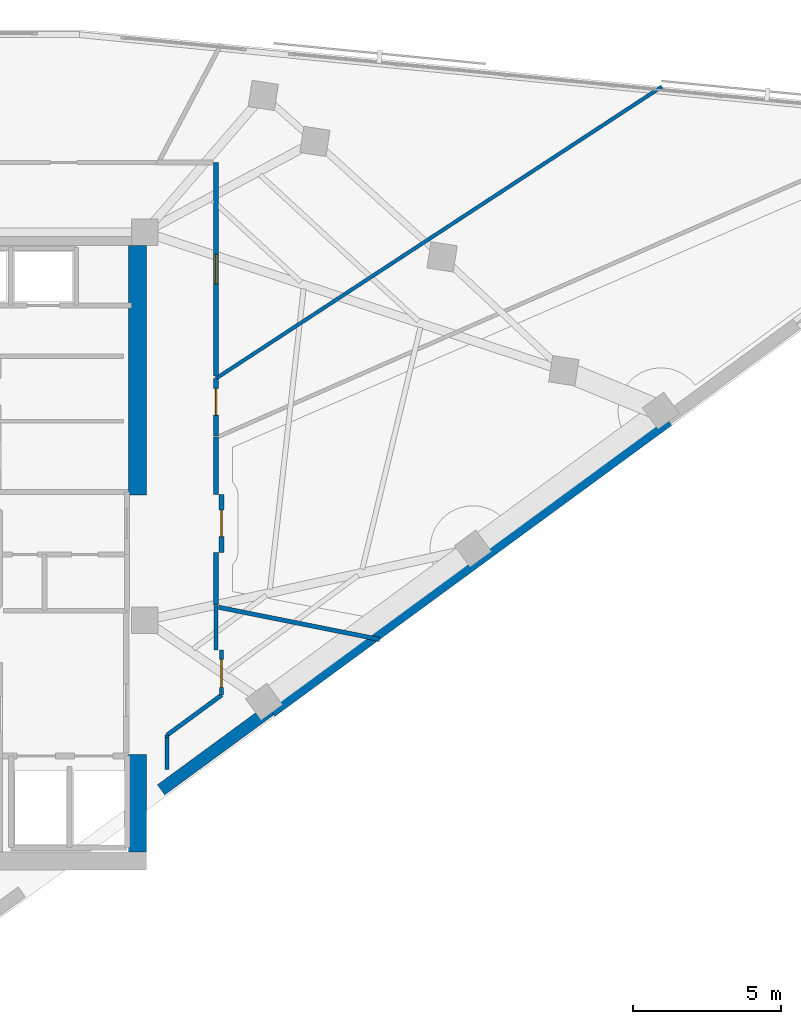
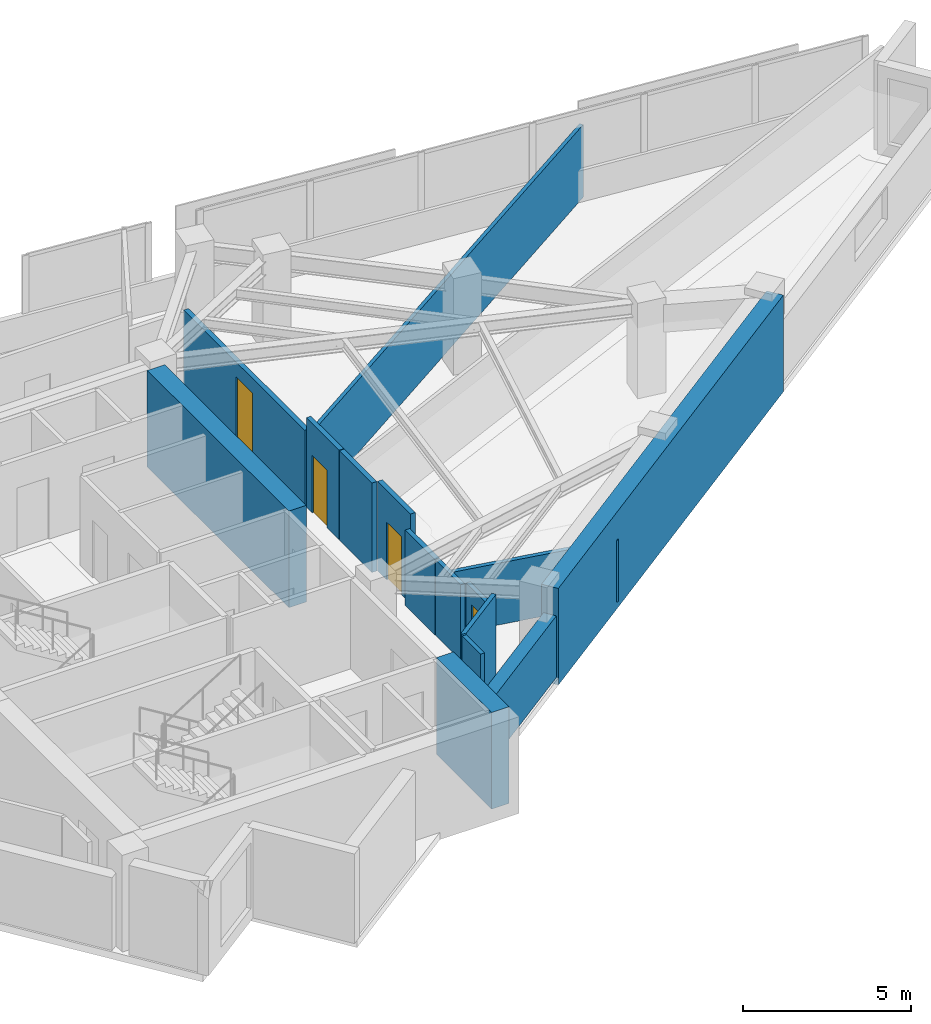
# One storey, part 11 of 14: 16 walls, 4 doors, 4 openings.
"""IFC4 building model written with IfcOpenShell, lengths in metres."""

from ifc_helpers import new_model, si_unit, direction, frame, frame_2d, origin, place, context, subcontext, project, spatial, rectangle, extrude, material, layer, layer_set, type_object, element, fill, save


model = new_model("IFC4")

# Units and contexts
model_context = context("Model", 3, precision=1e-05, world=origin(), true_north=direction((0.0, 1.0)))
body_context = subcontext(model_context, "Body", "Model", "MODEL_VIEW")
ifc_project = project(units=[si_unit("LENGTHUNIT", "METRE"), si_unit("AREAUNIT", "SQUARE_METRE"), si_unit("VOLUMEUNIT", "CUBIC_METRE"), si_unit("PLANEANGLEUNIT", "RADIAN"), si_unit("MASSUNIT", "GRAM", prefix="KILO")], contexts=[model_context])

# Site, building, storey
site_placement = place(None, origin())
site = spatial("IfcSite", under=ifc_project, at=site_placement, CompositionType="ELEMENT")
building_placement = place(site_placement, origin())
building = spatial("IfcBuilding", under=site, at=building_placement, Name="Narakoshi Arena Tower", CompositionType="ELEMENT")
storey_placement = place(building_placement, frame((0.0, 0.0, 236.10009765625)))
storey = spatial("IfcBuildingStorey", under=building, at=storey_placement, Name="L64", CompositionType="ELEMENT", Elevation=236.10009765625)

# Walls
ifc_material_1 = material(Name="Concrete C50/60", Category="concrete")
ifc_layer_1 = layer(ifc_material_1, 0.60009765625)
ifc_layer_set_1 = layer_set([ifc_layer_1], Name="Concrete C50/60")
wall_type_1 = type_object("IfcWallType", Name="WL-CORE-600", PredefinedType="SHEAR", material=ifc_layer_set_1)
wall_1_placement = place(storey_placement, frame((85.300048828125, 35.5, -0.260009765625), z_axis=(0.0, 0.0, 1.0), x_axis=(0.0, 1.0, 0.0)))
element("IfcWall", 1, at=wall_1_placement, inside=storey, type_object=wall_type_1, Name="L64 Central Core Shear Wall CW-APX-E", PredefinedType="SHEAR", context=body_context, shape_type="SweptSolid", body=[
    extrude(rectangle(XDim=3.300048828125, YDim=0.60009765625, at=frame_2d((1.64990234375, 0.0))), origin(), (0.0, 0.0, 1.0), 3.52001953125),
])
wall_2_placement = place(storey_placement, frame((85.300048828125, 47.60009765625, -0.260009765625), z_axis=(0.0, 0.0, 1.0), x_axis=(0.0, 1.0, 0.0)))
element("IfcWall", 2, at=wall_2_placement, inside=storey, type_object=wall_type_1, Name="L64 Main Core Shear Wall CW-MN-E", PredefinedType="SHEAR", context=body_context, shape_type="SweptSolid", body=[
    extrude(rectangle(XDim=8.449951171875, YDim=0.60009765625, at=frame_2d((4.22509765625, 0.0))), origin(), (0.0, 0.0, 1.0), 3.52001953125),
])

# Wall, opening, door
ifc_material_2 = material(Name="Gypsum plasterboard fire-rated partition")
ifc_layer_2 = layer(ifc_material_2, 0.1650390625)
ifc_layer_set_2 = layer_set([ifc_layer_2], Name="Gypsum plasterboard fire-rated partition")
wall_type_2 = type_object("IfcWallType", Name="WL-CORR-165", PredefinedType="PARTITIONING", material=ifc_layer_set_2)
wall_3_placement = place(storey_placement, frame((88.14990234375, 45.64990234375, 0.0), z_axis=(0.0, 0.0, 1.0), x_axis=(0.0, 1.0, 0.0)))
wall_3 = element("IfcWall", 3, at=wall_3_placement, inside=storey, type_object=wall_type_2, Name="L64 Corridor Partition 03-1", PredefinedType="PARTITIONING", context=body_context, shape_type="SweptSolid", body=[
    extrude(rectangle(XDim=1.97021484375, YDim=0.1650390625, at=frame_2d((0.985107421875, 0.0))), origin(), (0.0, 0.0, 1.0), 3.260009765625),
])
opening_1_placement = place(wall_3_placement, frame((0.534912109375, 0.0, 0.0)))
opening_1 = element("IfcOpeningElement", 4, at=opening_1_placement, cuts=wall_3, Name="Opening D-08", PredefinedType="OPENING", context=body_context, shape_type="SweptSolid", body=[
    extrude(rectangle(XDim=0.89990234375, YDim=2.10009765625, at=frame_2d((0.449951171875, 1.050048828125))), frame((0.0, 0.092529296875, 0.0), z_axis=(0.0, -1.0, 0.0), x_axis=(1.0, 0.0, 0.0)), (0.0, 0.0, 1.0), 0.18505859375),
])
ifc_material_3 = material(Name="Moisture-resistant laminate timber", Category="wood")
door_type_1 = type_object("IfcDoorType", Name="DR-WC-900", OperationType="NOTDEFINED", PredefinedType="DOOR", material=ifc_material_3)
door_1_placement = place(opening_1_placement, frame((0.89990234375, 0.0, 0.0), z_axis=(0.0, 0.0, 1.0), x_axis=(-1.0, 0.0, 0.0)))
door_1 = element("IfcDoor", 5, at=door_1_placement, inside=storey, type_object=door_type_1, Name="DR-L64-019", OperationType="SINGLE_SWING_RIGHT", OverallHeight=2.10009765625, OverallWidth=0.89990234375, PredefinedType="DOOR", context=body_context, shape_type="SweptSolid", body=[
    extrude(rectangle(XDim=0.89990234375, YDim=2.10009765625, at=frame_2d((0.449951171875, 1.050048828125))), frame((0.0, 0.02490234375, 0.0), z_axis=(0.0, -1.0, 0.0), x_axis=(1.0, 0.0, 0.0)), (0.0, 0.0, 1.0), 0.050048828125),
])
fill(opening_1, door_1)

# Walls
wall_4_placement = place(storey_placement, frame((87.96142578125, 47.6201171875, 0.0), z_axis=(0.0, 0.0, 1.0), x_axis=(0.0, 1.0, 0.0)))
element("IfcWall", 6, at=wall_4_placement, inside=storey, type_object=wall_type_2, Name="L64 Corridor Partition 03-2", PredefinedType="PARTITIONING", context=body_context, shape_type="SweptSolid", body=[
    extrude(rectangle(XDim=1.9501953125, YDim=0.1650390625, at=frame_2d((0.97509765625, 0.0))), origin(), (0.0, 0.0, 1.0), 3.260009765625),
])
wall_5_placement = place(storey_placement, frame((87.96142578125, 43.872802734375, 0.0), z_axis=(0.0, 0.0, 1.0), x_axis=(0.0, 1.0, 0.0)))
element("IfcWall", 7, at=wall_5_placement, inside=storey, type_object=wall_type_2, Name="L64 Corridor Partition 03-3", PredefinedType="PARTITIONING", context=body_context, shape_type="SweptSolid", body=[
    extrude(rectangle(XDim=1.777099609375, YDim=0.1650390625, at=frame_2d((0.888671875, 0.0))), origin(), (0.0, 0.0, 1.0), 2.744873046875),
])

# Wall, opening, door
wall_6_placement = place(storey_placement, frame((87.96142578125, 49.59619140625, 0.0), z_axis=(0.0, 0.0, 1.0), x_axis=(0.0, 1.0, 0.0)))
wall_6 = element("IfcWall", 8, at=wall_6_placement, inside=storey, type_object=wall_type_2, Name="L64 Corridor Partition 04-1", PredefinedType="PARTITIONING", context=body_context, shape_type="SweptSolid", body=[
    extrude(rectangle(XDim=1.9501953125, YDim=0.1650390625, at=frame_2d((0.97509765625, 0.0))), origin(), (0.0, 0.0, 1.0), 3.260009765625),
])
opening_2_placement = place(wall_6_placement, frame((0.707275390625, 0.0, 0.0)))
opening_2 = element("IfcOpeningElement", 9, at=opening_2_placement, cuts=wall_6, Name="Opening D-08", PredefinedType="OPENING", context=body_context, shape_type="SweptSolid", body=[
    extrude(rectangle(XDim=0.89990234375, YDim=2.10009765625, at=frame_2d((0.449951171875, 1.050048828125))), frame((0.0, 0.092529296875, 0.0), z_axis=(0.0, -1.0, 0.0), x_axis=(1.0, 0.0, 0.0)), (0.0, 0.0, 1.0), 0.18505859375),
])
door_2_placement = place(opening_2_placement, frame((0.89990234375, 0.0, 0.0), z_axis=(0.0, 0.0, 1.0), x_axis=(-1.0, 0.0, 0.0)))
door_2 = element("IfcDoor", 10, at=door_2_placement, inside=storey, type_object=door_type_1, Name="DR-L64-020", OperationType="SINGLE_SWING_LEFT", OverallHeight=2.10009765625, OverallWidth=0.89990234375, PredefinedType="DOOR", context=body_context, shape_type="SweptSolid", body=[
    extrude(rectangle(XDim=0.89990234375, YDim=2.10009765625, at=frame_2d((0.449951171875, 1.050048828125))), frame((0.0, 0.02490234375, 0.0), z_axis=(0.0, -1.0, 0.0), x_axis=(1.0, 0.0, 0.0)), (0.0, 0.0, 1.0), 0.050048828125),
])
fill(opening_2, door_2)

wall_7_placement = place(storey_placement, frame((87.96142578125, 51.635498046875, 0.0), z_axis=(0.0, 0.0, 1.0), x_axis=(0.0, 1.0, 0.0)))
wall_7 = element("IfcWall", 11, at=wall_7_placement, inside=storey, type_object=wall_type_2, Name="L64 Corridor Partition 05-1", PredefinedType="PARTITIONING", context=body_context, shape_type="SweptSolid", body=[
    extrude(rectangle(XDim=7.225830078125, YDim=0.1650390625, at=frame_2d((3.61279296875, 0.0))), origin(), (0.0, 0.0, 1.0), 2.744873046875),
])
opening_3_placement = place(wall_7_placement, frame((3.113037109375, 0.0, 0.0)))
opening_3 = element("IfcOpeningElement", 12, at=opening_3_placement, cuts=wall_7, Name="Opening D-06", PredefinedType="OPENING", context=body_context, shape_type="SweptSolid", body=[
    extrude(rectangle(XDim=1.0, YDim=2.199951171875, at=frame_2d((0.5, 1.10009765625))), frame((0.0, 0.092529296875, 0.0), z_axis=(0.0, -1.0, 0.0), x_axis=(1.0, 0.0, 0.0)), (0.0, 0.0, 1.0), 0.18505859375),
])
ifc_material_4 = material(Name="Stained oak solid-core timber", Category="wood")
door_type_2 = type_object("IfcDoorType", Name="DR-OFF-1000", OperationType="NOTDEFINED", PredefinedType="DOOR", material=ifc_material_4)
door_3_placement = place(opening_3_placement, frame((1.0, 0.0, 0.0), z_axis=(0.0, 0.0, 1.0), x_axis=(-1.0, 0.0, 0.0)))
door_3 = element("IfcDoor", 13, at=door_3_placement, inside=storey, type_object=door_type_2, Name="DR-L64-021", OperationType="SINGLE_SWING_RIGHT", OverallHeight=2.199951171875, OverallWidth=1.0, PredefinedType="DOOR", context=body_context, shape_type="SweptSolid", body=[
    extrude(rectangle(XDim=1.0, YDim=2.199951171875, at=frame_2d((0.5, 1.10009765625))), frame((0.0, 0.02490234375, 0.0), z_axis=(0.0, -1.0, 0.0), x_axis=(1.0, 0.0, 0.0)), (0.0, 0.0, 1.0), 0.050048828125),
])
fill(opening_3, door_3)

# Walls
ifc_layer_3 = layer(ifc_material_1, 0.550048828125)
ifc_layer_set_3 = layer_set([ifc_layer_3], Name="Concrete C50/60")
wall_type_3 = type_object("IfcWallType", Name="WL-LEG-550", PredefinedType="SHEAR", material=ifc_layer_set_3)
wall_8_placement = place(storey_placement, frame((89.79052734375, 40.31640625, -0.260009765625), z_axis=(0.0, 0.0, 1.0), x_axis=(0.806449218078, 0.591303355868, 0.0)))
element("IfcWall", 14, at=wall_8_placement, inside=storey, type_object=wall_type_3, Name="L64 Architectural Concrete Structural Wall LEGA-3", PredefinedType="SHEAR", context=body_context, shape_type="SweptSolid", body=[
    extrude(rectangle(XDim=16.673095703125, YDim=0.550048828125, at=frame_2d((8.33642578125, 0.0))), origin(), (0.0, 0.0, 1.0), 3.52001953125),
])
ifc_layer_4 = layer(ifc_material_2, 0.125)
ifc_layer_set_4 = layer_set([ifc_layer_4], Name="Gypsum plasterboard fire-rated partition")
wall_type_4 = type_object("IfcWallType", Name="WL-PART-125", PredefinedType="PARTITIONING", material=ifc_layer_set_4)
wall_9_placement = place(storey_placement, frame((87.96142578125, 51.54638671875, 0.0), z_axis=(0.0, 0.0, 1.0), x_axis=(0.836706023694, 0.547652289244, 0.0)))
element("IfcWall", 15, at=wall_9_placement, inside=storey, type_object=wall_type_4, Name="L64 Inter-Room Partition 04-05", PredefinedType="PARTITIONING", context=body_context, shape_type="SweptSolid", body=[
    extrude(rectangle(XDim=18.052978515625, YDim=0.125, at=frame_2d((9.0263671875, 0.0))), origin(), (0.0, 0.0, 1.0), 2.64501953125),
])
ifc_material_5 = material(Name="Precast concrete C45/55", Category="concrete")
ifc_layer_5 = layer(ifc_material_5, 0.419921875)
ifc_layer_set_5 = layer_set([ifc_layer_5], Name="Precast concrete C45/55")
wall_type_5 = type_object("IfcWallType", Name="WL-POD-420", PredefinedType="SOLIDWALL", material=ifc_layer_set_5)
wall_10_placement = place(storey_placement, frame((86.10009765625, 37.6103515625, 0.0), z_axis=(0.0, 0.0, 1.0), x_axis=(0.806432132361, 0.591326657521, 0.0)))
element("IfcWall", 16, at=wall_10_placement, inside=storey, type_object=wall_type_5, Name="L64 Architectural Concrete Facade Wall LEGA-2", PredefinedType="SOLIDWALL", context=body_context, shape_type="SweptSolid", body=[
    extrude(rectangle(XDim=4.576171875, YDim=0.419921875, at=frame_2d((2.2880859375, 0.0))), origin(), (0.0, 0.0, 1.0), 2.244873046875),
])
ifc_material_6 = material(Name="Moisture-resistant cement-board partition")
ifc_layer_6 = layer(ifc_material_6, 0.14501953125)
ifc_layer_set_6 = layer_set([ifc_layer_6], Name="Moisture-resistant cement-board partition")
wall_type_6 = type_object("IfcWallType", Name="WL-WET-145", PredefinedType="PARTITIONING", material=ifc_layer_set_6)
wall_11_placement = place(storey_placement, frame((86.300048828125, 39.4619140625, 0.0), z_axis=(0.0, 0.0, 1.0), x_axis=(0.80642868075, 0.591331364689, 0.0)))
element("IfcWall", 17, at=wall_11_placement, inside=storey, type_object=wall_type_6, Name="L64 Corridor Partition 02-1", PredefinedType="PARTITIONING", context=body_context, shape_type="SweptSolid", body=[
    extrude(rectangle(XDim=2.2939453125, YDim=0.14501953125, at=frame_2d((1.14697265625, 0.0))), origin(), (0.0, 0.0, 1.0), 3.260009765625),
])

# Wall, opening, door
wall_12_placement = place(storey_placement, frame((88.14990234375, 40.818359375, 0.0), z_axis=(0.0, 0.0, 1.0), x_axis=(0.0, 1.0, 0.0)))
wall_12 = element("IfcWall", 18, at=wall_12_placement, inside=storey, type_object=wall_type_6, Name="L64 Corridor Partition 02-2", PredefinedType="PARTITIONING", context=body_context, shape_type="SweptSolid", body=[
    extrude(rectangle(XDim=1.53173828125, YDim=0.14501953125, at=frame_2d((0.765869140625, 0.0))), origin(), (0.0, 0.0, 1.0), 2.744873046875),
])
opening_4_placement = place(wall_12_placement, frame((0.263671875, 0.0, 0.0)))
opening_4 = element("IfcOpeningElement", 19, at=opening_4_placement, cuts=wall_12, Name="Opening D-07", PredefinedType="OPENING", context=body_context, shape_type="SweptSolid", body=[
    extrude(rectangle(XDim=0.949951171875, YDim=2.14990234375, at=frame_2d((0.47509765625, 1.074951171875))), frame((0.0, 0.08251953125, 0.0), z_axis=(0.0, -1.0, 0.0), x_axis=(1.0, 0.0, 0.0)), (0.0, 0.0, 1.0), 0.1650390625),
])
door_type_3 = type_object("IfcDoorType", Name="DR-ACC-950", OperationType="NOTDEFINED", PredefinedType="DOOR", material=ifc_material_4)
door_4_placement = place(opening_4_placement, origin())
door_4 = element("IfcDoor", 20, at=door_4_placement, inside=storey, type_object=door_type_3, Name="DR-L64-018", OperationType="SINGLE_SWING_RIGHT", OverallHeight=2.14990234375, OverallWidth=0.949951171875, PredefinedType="DOOR", context=body_context, shape_type="SweptSolid", body=[
    extrude(rectangle(XDim=0.949951171875, YDim=2.14990234375, at=frame_2d((0.47509765625, 1.074951171875))), frame((0.0, 0.02490234375, 0.0), z_axis=(0.0, -1.0, 0.0), x_axis=(1.0, 0.0, 0.0)), (0.0, 0.0, 1.0), 0.050048828125),
])
fill(opening_4, door_4)

# Walls
wall_13_placement = place(storey_placement, frame((87.96142578125, 42.35009765625, 0.0), z_axis=(0.0, 0.0, 1.0), x_axis=(0.0, 1.0, 0.0)))
element("IfcWall", 21, at=wall_13_placement, inside=storey, type_object=wall_type_6, Name="L64 Corridor Partition 02-3", PredefinedType="PARTITIONING", context=body_context, shape_type="SweptSolid", body=[
    extrude(rectangle(XDim=1.498291015625, YDim=0.14501953125, at=frame_2d((0.7490234375, 0.0))), origin(), (0.0, 0.0, 1.0), 2.744873046875),
])
wall_14_placement = place(storey_placement, frame((86.300048828125, 39.3876953125, 0.0), z_axis=(0.0, 0.0, 1.0), x_axis=(0.0, 1.0, 0.0)))
element("IfcWall", 22, at=wall_14_placement, inside=storey, type_object=wall_type_6, Name="L64 Corridor Partition 02-4", PredefinedType="PARTITIONING", context=body_context, shape_type="SweptSolid", body=[
    extrude(rectangle(XDim=0.07421875, YDim=0.14501953125, at=frame_2d((0.037109375, 0.0))), origin(), (0.0, 0.0, 1.0), 3.260009765625),
])
wall_15_placement = place(storey_placement, frame((88.0458984375, 43.794921875, 0.0), z_axis=(0.0, 0.0, 1.0), x_axis=(0.980609311804, -0.195972900174, 0.0)))
element("IfcWall", 23, at=wall_15_placement, inside=storey, type_object=wall_type_6, Name="L64 Inter-Room Partition 02-03", PredefinedType="PARTITIONING", context=body_context, shape_type="SweptSolid", body=[
    extrude(rectangle(XDim=5.572509765625, YDim=0.14501953125, at=frame_2d((2.7861328125, 0.0))), origin(), (0.0, 0.0, 1.0), 2.244873046875),
])
wall_16_placement = place(storey_placement, frame((86.300048828125, 38.290283203125, 0.0), z_axis=(0.0, 0.0, 1.0), x_axis=(0.0, 1.0, 0.0)))
element("IfcWall", 24, at=wall_16_placement, inside=storey, type_object=wall_type_6, Name="L64 Room Enclosure Partition 02-1", PredefinedType="PARTITIONING", context=body_context, shape_type="SweptSolid", body=[
    extrude(rectangle(XDim=1.097412109375, YDim=0.14501953125, at=frame_2d((0.548828125, 0.0))), origin(), (0.0, 0.0, 1.0), 3.260009765625),
])

save(model, "model.ifc")
